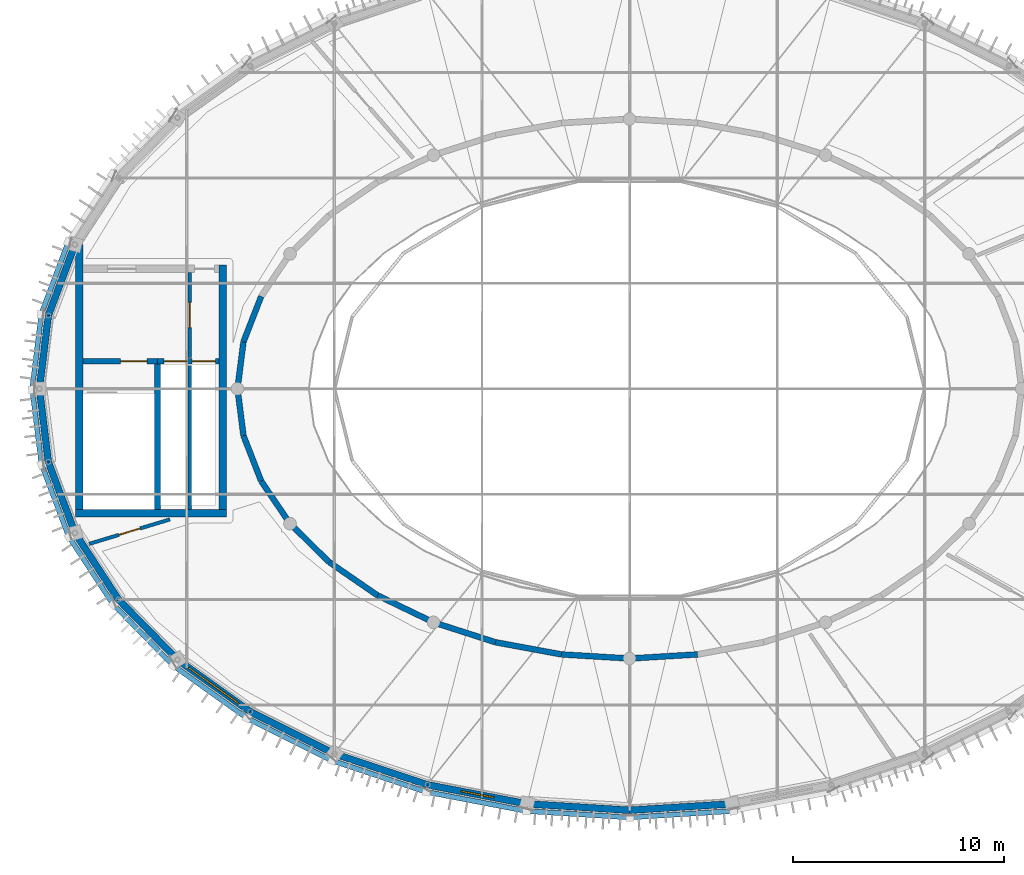
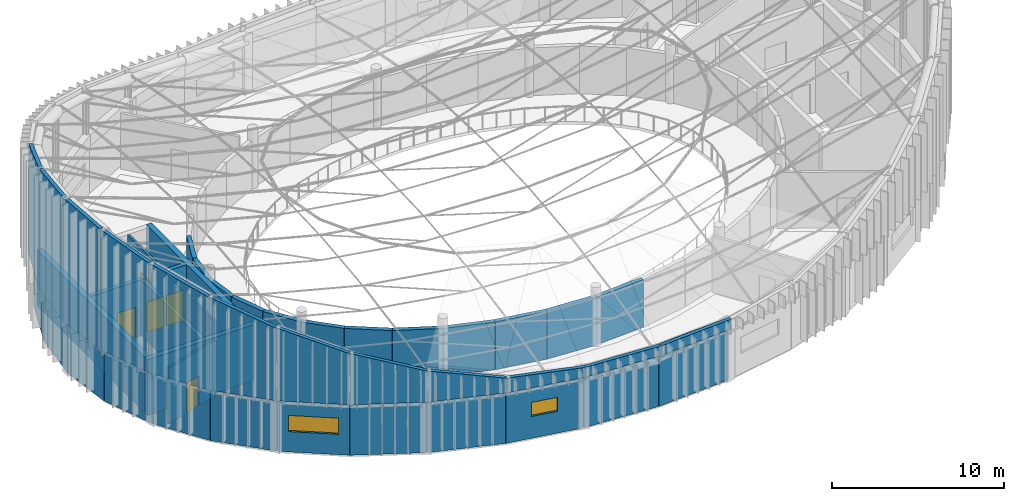
# One storey, part 25 of 36: 45 walls, 5 doors, 2 windows, 7 openings.
"""IFC4 building model written with IfcOpenShell, lengths in metres."""

from ifc_helpers import new_model, si_unit, direction, frame, frame_2d, origin, place, context, subcontext, project, spatial, polyline, rectangle, outline, extrude, material, layer, layer_set, type_object, element, fill, save


model = new_model("IFC4")

# Units and contexts
model_context = context("Model", 3, precision=1e-05, world=origin(), true_north=direction((0.0, 1.0)))
body_context = subcontext(model_context, "Body", "Model", "MODEL_VIEW")
ifc_project = project(units=[si_unit("LENGTHUNIT", "METRE"), si_unit("AREAUNIT", "SQUARE_METRE"), si_unit("VOLUMEUNIT", "CUBIC_METRE"), si_unit("PLANEANGLEUNIT", "RADIAN"), si_unit("MASSUNIT", "GRAM", prefix="KILO")], contexts=[model_context])

# Site, building, storey
site_placement = place(None, origin())
site = spatial("IfcSite", under=ifc_project, at=site_placement, CompositionType="ELEMENT")
building_placement = place(site_placement, origin())
building = spatial("IfcBuilding", under=site, at=building_placement, Name="Tarnveldt Headland Concert Hall", CompositionType="ELEMENT")
storey_placement = place(building_placement, frame((0.0, 0.0, 22.800048828125)))
storey = spatial("IfcBuildingStorey", under=building, at=storey_placement, Name="L05", CompositionType="ELEMENT", Elevation=22.800048828125)

# Walls
ifc_material_1 = material(Name="Concrete C40/50", Category="concrete")
ifc_layer_1 = layer(ifc_material_1, 0.324951171875, Name="Concrete C40/50", Category="concrete")
ifc_layer_set_1 = layer_set([ifc_layer_1], Name="Concrete C40/50")
wall_type_1 = type_object("IfcWallType", Name="WL-CR325", PredefinedType="SHEAR", material=ifc_layer_set_1)
wall_1_placement = place(storey_placement, frame((57.188720703125, 61.34033203125, 0.0), z_axis=(0.0, 0.0, 1.0), x_axis=(-0.351279653979, -0.936270583058, 0.0)))
element("IfcWall", 1, at=wall_1_placement, inside=storey, type_object=wall_type_1, Name="Symphony drum shear wall L05-17", PredefinedType="SHEAR", context=body_context, shape_type="SweptSolid", body=[
    extrude(rectangle(XDim=3.5966796875, YDim=0.324951171875, at=frame_2d((1.79833984375, 0.0))), origin(), (0.0, 0.0, 1.0), 4.199951171875),
])
for number, where, z_axis, x_axis, name in (
    (2, (55.92529296875, 57.972900390625, 0.0), (0.0, 0.0, 1.0), (-0.121552414401, -0.99258501427, 0.0), "Symphony drum shear wall L05-18"),
    (3, (55.5, 54.5, 0.0), (0.0, 0.0, 1.0), (0.121552414401, -0.99258501427, 0.0), "Symphony drum shear wall L05-19"),
):
    element("IfcWall", number, at=place(storey_placement, frame(where, z_axis=z_axis, x_axis=x_axis)), inside=storey, type_object=wall_type_1, Name=name, PredefinedType="SHEAR", context=body_context, shape_type="SweptSolid", body=[
        extrude(rectangle(XDim=3.498779296875, YDim=0.324951171875, at=frame_2d((1.74951171875, 0.0))), origin(), (0.0, 0.0, 1.0), 4.199951171875),
    ])
wall_2_placement = place(storey_placement, frame((55.92529296875, 51.027099609375, 0.0), z_axis=(0.0, 0.0, 1.0), x_axis=(0.351279653979, -0.936270583058, 0.0)))
element("IfcWall", 4, at=wall_2_placement, inside=storey, type_object=wall_type_1, Name="Symphony drum shear wall L05-20", PredefinedType="SHEAR", context=body_context, shape_type="SweptSolid", body=[
    extrude(rectangle(XDim=3.5966796875, YDim=0.324951171875, at=frame_2d((1.79833984375, 0.0))), origin(), (0.0, 0.0, 1.0), 4.199951171875),
])
wall_3_placement = place(storey_placement, frame((57.188720703125, 47.65966796875, 0.0), z_axis=(0.0, 0.0, 1.0), x_axis=(0.546611158382, -0.837386554425, 0.0)))
element("IfcWall", 5, at=wall_3_placement, inside=storey, type_object=wall_type_1, Name="Symphony drum shear wall L05-21", PredefinedType="SHEAR", context=body_context, shape_type="SweptSolid", body=[
    extrude(rectangle(XDim=3.773193359375, YDim=0.324951171875, at=frame_2d((1.88671875, 0.0))), origin(), (0.0, 0.0, 1.0), 4.199951171875),
])
wall_4_placement = place(storey_placement, frame((59.251220703125, 44.5, 0.0), z_axis=(0.0, 0.0, 1.0), x_axis=(0.700051268358, -0.714092586203, 0.0)))
element("IfcWall", 6, at=wall_4_placement, inside=storey, type_object=wall_type_1, Name="Symphony drum shear wall L05-22", PredefinedType="SHEAR", context=body_context, shape_type="SweptSolid", body=[
    extrude(rectangle(XDim=3.9990234375, YDim=0.324951171875, at=frame_2d((1.99951171875, 0.0))), origin(), (0.0, 0.0, 1.0), 4.199951171875),
])

# Wall, opening, window
wall_5_placement = place(storey_placement, frame((62.05078125, 41.644287109375, 0.0), z_axis=(0.0, 0.0, 1.0), x_axis=(0.813737360708, -0.581232748378, 0.0)))
wall_5 = element("IfcWall", 7, at=wall_5_placement, inside=storey, type_object=wall_type_1, Name="Symphony drum shear wall L05-23", PredefinedType="SHEAR", context=body_context, shape_type="SweptSolid", body=[
    extrude(rectangle(XDim=4.2412109375, YDim=0.324951171875, at=frame_2d((2.12060546875, 0.0))), origin(), (0.0, 0.0, 1.0), 4.199951171875),
])
opening_1_placement = place(wall_5_placement, frame((0.6455078125, 0.0, 1.449951171875)))
opening_1 = element("IfcOpeningElement", 8, at=opening_1_placement, cuts=wall_5, Name="Opening W-D020", PredefinedType="OPENING", context=body_context, shape_type="SweptSolid", body=[
    extrude(rectangle(XDim=2.949951171875, YDim=1.14990234375, at=frame_2d((1.47509765625, 0.574951171875))), frame((0.0, 0.17236328125, 0.0), z_axis=(0.0, -1.0, 0.0), x_axis=(1.0, 0.0, 0.0)), (0.0, 0.0, 1.0), 0.344970703125),
])
ifc_material_2 = material(Name="Acoustic laminated low-iron double glazing", Category="glass")
window_type_1 = type_object("IfcWindowType", Name="WN-23", PartitioningType="SINGLE_PANEL", PredefinedType="WINDOW", material=ifc_material_2)
window_1_placement = place(opening_1_placement, origin())
window_1 = element("IfcWindow", 9, at=window_1_placement, inside=storey, type_object=window_type_1, Name="Drum acoustic gallery window L05-23", OverallHeight=1.14990234375, OverallWidth=2.949951171875, PartitioningType="SINGLE_PANEL", PredefinedType="WINDOW", context=body_context, shape_type="SweptSolid", body=[
    extrude(rectangle(XDim=2.949951171875, YDim=1.14990234375, at=frame_2d((1.47509765625, 0.574951171875))), frame((0.0, 0.030029296875, 0.0), z_axis=(0.0, -1.0, 0.0), x_axis=(1.0, 0.0, 0.0)), (0.0, 0.0, 1.0), 0.06005859375),
])
fill(opening_1, window_1)

# Walls
wall_6_placement = place(storey_placement, frame((65.501953125, 39.17919921875, 0.0), z_axis=(0.0, 0.0, 1.0), x_axis=(0.894361644392, -0.447344664705, 0.0)))
element("IfcWall", 10, at=wall_6_placement, inside=storey, type_object=wall_type_1, Name="Symphony drum shear wall L05-24", PredefinedType="SHEAR", context=body_context, shape_type="SweptSolid", body=[
    extrude(rectangle(XDim=4.47021484375, YDim=0.324951171875, at=frame_2d((2.235107421875, 0.0))), origin(), (0.0, 0.0, 1.0), 4.199951171875),
])
wall_7_placement = place(storey_placement, frame((69.5, 37.179443359375, 0.0), z_axis=(0.0, 0.0, 1.0), x_axis=(0.948751350732, -0.316023534699, 0.0)))
element("IfcWall", 11, at=wall_7_placement, inside=storey, type_object=wall_type_1, Name="Symphony drum shear wall L05-25", PredefinedType="SHEAR", context=body_context, shape_type="SweptSolid", body=[
    extrude(rectangle(XDim=4.662353515625, YDim=0.324951171875, at=frame_2d((2.3310546875, 0.0))), origin(), (0.0, 0.0, 1.0), 4.199951171875),
])

# Wall, opening, window
wall_8_placement = place(storey_placement, frame((73.92333984375, 35.7060546875, 0.0), z_axis=(0.0, 0.0, 1.0), x_axis=(0.982172578083, -0.187981453503, 0.0)))
wall_8 = element("IfcWall", 12, at=wall_8_placement, inside=storey, type_object=wall_type_1, Name="Symphony drum shear wall L05-26", PredefinedType="SHEAR", context=body_context, shape_type="SweptSolid", body=[
    extrude(rectangle(XDim=4.80029296875, YDim=0.324951171875, at=frame_2d((2.400146484375, 0.0))), origin(), (0.0, 0.0, 1.0), 4.199951171875),
])
opening_2_placement = place(wall_8_placement, frame((1.60009765625, 0.0, 1.550048828125)))
opening_2 = element("IfcOpeningElement", 13, at=opening_2_placement, cuts=wall_8, Name="Opening W-D021", PredefinedType="OPENING", context=body_context, shape_type="SweptSolid", body=[
    extrude(rectangle(XDim=1.60009765625, YDim=1.0, at=frame_2d((0.800048828125, 0.5))), frame((0.0, 0.17236328125, 0.0), z_axis=(0.0, -1.0, 0.0), x_axis=(1.0, 0.0, 0.0)), (0.0, 0.0, 1.0), 0.344970703125),
])
window_type_2 = type_object("IfcWindowType", Name="WN-28", PartitioningType="SINGLE_PANEL", PredefinedType="WINDOW", material=ifc_material_2)
window_2_placement = place(opening_2_placement, origin())
window_2 = element("IfcWindow", 14, at=window_2_placement, inside=storey, type_object=window_type_2, Name="Drum acoustic gallery window L05-26", OverallHeight=1.0, OverallWidth=1.60009765625, PartitioningType="SINGLE_PANEL", PredefinedType="WINDOW", context=body_context, shape_type="SweptSolid", body=[
    extrude(rectangle(XDim=1.60009765625, YDim=1.0, at=frame_2d((0.800048828125, 0.5))), frame((0.0, 0.030029296875, 0.0), z_axis=(0.0, -1.0, 0.0), x_axis=(1.0, 0.0, 0.0)), (0.0, 0.0, 1.0), 0.06005859375),
])
fill(opening_2, window_2)

# Walls
for number, where, z_axis, x_axis, name in (
    (15, (78.637939453125, 34.8037109375, 0.0), (0.0, 0.0, 1.0), (0.998054722924, -0.06234396562, 0.0), "Symphony drum shear wall L05-27"),
    (16, (83.5, 34.5, 0.0), (0.0, 0.0, 1.0), (0.998054722924, 0.06234396562, 0.0), "Symphony drum shear wall L05-28"),
):
    element("IfcWall", number, at=place(storey_placement, frame(where, z_axis=z_axis, x_axis=x_axis)), inside=storey, type_object=wall_type_1, Name=name, PredefinedType="SHEAR", context=body_context, shape_type="SweptSolid", body=[
        extrude(rectangle(XDim=4.87158203125, YDim=0.324951171875, at=frame_2d((2.435791015625, 0.0))), origin(), (0.0, 0.0, 1.0), 4.199951171875),
    ])
ifc_layer_2 = layer(ifc_material_1, 0.35009765625, Name="Concrete C40/50", Category="concrete")
ifc_layer_set_2 = layer_set([ifc_layer_2], Name="Concrete C40/50")
wall_type_2 = type_object("IfcWallType", Name="WL-CR350", PredefinedType="SHEAR", material=ifc_layer_set_2)
wall_9_placement = place(storey_placement, frame((57.22509765625, 48.60009765625, 0.0), z_axis=(0.0, 0.0, 1.0), x_axis=(1.0, 0.0, 0.0)))
element("IfcWall", 17, at=wall_9_placement, inside=storey, type_object=wall_type_2, Name="Core C1 south shear wall L05", PredefinedType="SHEAR", context=body_context, shape_type="SweptSolid", body=[
    extrude(rectangle(XDim=7.14990234375, YDim=0.35009765625, at=frame_2d((3.574951171875, 0.0))), origin(), (0.0, 0.0, 1.0), 3.97998046875),
])
wall_10_placement = place(storey_placement, frame((57.39990234375, 48.77490234375, 0.0), z_axis=(0.0, 0.0, 1.0), x_axis=(0.0, 1.0, 0.0)))
element("IfcWall", 18, at=wall_10_placement, inside=storey, type_object=wall_type_2, Name="Core C1 west shear wall L05", PredefinedType="SHEAR", context=body_context, shape_type="SweptSolid", body=[
    extrude(rectangle(XDim=12.565185546875, YDim=0.35009765625, at=frame_2d((6.28271484375, 0.0))), origin(), (0.0, 0.0, 1.0), 3.97998046875),
])
wall_11_placement = place(storey_placement, frame((64.199951171875, 48.77490234375, 0.0), z_axis=(0.0, 0.0, 1.0), x_axis=(0.0, 1.0, 0.0)))
element("IfcWall", 19, at=wall_11_placement, inside=storey, type_object=wall_type_2, Name="Core C1 east shear wall L05", PredefinedType="SHEAR", context=body_context, shape_type="SweptSolid", body=[
    extrude(rectangle(XDim=11.60009765625, YDim=0.35009765625, at=frame_2d((5.800048828125, 0.0))), origin(), (0.0, 0.0, 1.0), 3.97998046875),
])
ifc_material_3 = material(Name="Coral-toned precast concrete C40/50", Category="concrete")
ifc_layer_3 = layer(ifc_material_3, 0.239990234375, Name="Coral-toned precast concrete C40/50", Category="concrete")
ifc_layer_set_3 = layer_set([ifc_layer_3], Name="Coral-toned precast concrete C40/50")
wall_type_3 = type_object("IfcWallType", Name="WL-EX240", PredefinedType="SOLIDWALL", material=ifc_layer_set_3)
wall_12_placement = place(storey_placement, frame((56.870361328125, 61.459716796875, 3.800048828125), z_axis=(0.0, 0.0, 1.0), x_axis=(-0.351220147955, -0.936292906985, 0.0)))
element("IfcWall", 20, at=wall_12_placement, inside=storey, type_object=wall_type_3, Name="Crown saddle acoustic tympanum panel 17", PredefinedType="SOLIDWALL", context=body_context, shape_type="SweptSolid", body=[
    extrude(outline(polyline([(0.0, 0.0), (3.5966796875, 0.0), (3.596435546875, 8.554443359375), (0.0, 7.79052734375), (0.0, 0.0)])), frame((0.0, 0.1201171875, 0.0), z_axis=(0.0, -1.0, 0.0), x_axis=(1.0, 0.0, 0.0)), (0.0, 0.0, 1.0), 0.239990234375),
])
wall_13_placement = place(storey_placement, frame((55.587890625, 58.014404296875, 3.800048828125), z_axis=(0.0, 0.0, 1.0), x_axis=(-0.121543996247, -0.992586045125, 0.0)))
element("IfcWall", 21, at=wall_13_placement, inside=storey, type_object=wall_type_3, Name="Crown saddle acoustic tympanum panel 18", PredefinedType="SOLIDWALL", context=body_context, shape_type="SweptSolid", body=[
    extrude(outline(polyline([(0.0, 0.0), (3.4990234375, 0.0), (3.4990234375, 8.81982421875), (0.0, 8.554443359375), (0.0, 0.0)])), frame((0.0, 0.1201171875, 0.0), z_axis=(0.0, -1.0, 0.0), x_axis=(1.0, 0.0, 0.0)), (0.0, 0.0, 1.0), 0.239990234375),
])
wall_14_placement = place(storey_placement, frame((55.16259765625, 54.458740234375, 3.800048828125), z_axis=(0.0, 0.0, 1.0), x_axis=(0.121543996247, -0.992586045125, 0.0)))
element("IfcWall", 22, at=wall_14_placement, inside=storey, type_object=wall_type_3, Name="Crown saddle acoustic tympanum panel 19", PredefinedType="SOLIDWALL", context=body_context, shape_type="SweptSolid", body=[
    extrude(outline(polyline([(0.0, 0.0), (3.4990234375, 0.0), (3.4990234375, 8.554443359375), (0.0, 8.81982421875), (0.0, 0.0)])), frame((0.0, 0.1201171875, 0.0), z_axis=(0.0, -1.0, 0.0), x_axis=(1.0, 0.0, 0.0)), (0.0, 0.0, 1.0), 0.239990234375),
])
wall_15_placement = place(storey_placement, frame((55.607177734375, 50.90771484375, 3.800048828125), z_axis=(0.0, 0.0, 1.0), x_axis=(0.351220147955, -0.936292906985, 0.0)))
element("IfcWall", 23, at=wall_15_placement, inside=storey, type_object=wall_type_3, Name="Crown saddle acoustic tympanum panel 20", PredefinedType="SOLIDWALL", context=body_context, shape_type="SweptSolid", body=[
    extrude(outline(polyline([(0.0, 0.0), (3.5966796875, 0.0), (3.596435546875, 7.79052734375), (0.0, 8.554443359375), (0.0, 0.0)])), frame((0.0, 0.1201171875, 0.0), z_axis=(0.0, -1.0, 0.0), x_axis=(1.0, 0.0, 0.0)), (0.0, 0.0, 1.0), 0.239990234375),
])
wall_16_placement = place(storey_placement, frame((56.90380859375, 47.4736328125, 3.800048828125), z_axis=(0.0, 0.0, 1.0), x_axis=(0.546686144595, -0.837337601752, 0.0)))
element("IfcWall", 24, at=wall_16_placement, inside=storey, type_object=wall_type_3, Name="Crown saddle acoustic tympanum panel 21", PredefinedType="SOLIDWALL", context=body_context, shape_type="SweptSolid", body=[
    extrude(outline(polyline([(0.0, 0.0), (3.773193359375, 0.0), (3.773193359375, 6.619873046875), (0.0, 7.79052734375), (0.0, 0.0)])), frame((0.0, 0.1201171875, 0.0), z_axis=(0.0, -1.0, 0.0), x_axis=(1.0, 0.0, 0.0)), (0.0, 0.0, 1.0), 0.239990234375),
])
wall_17_placement = place(storey_placement, frame((59.008544921875, 44.261962890625, 3.800048828125), z_axis=(0.0, 0.0, 1.0), x_axis=(0.700051268358, -0.714092586203, 0.0)))
element("IfcWall", 25, at=wall_17_placement, inside=storey, type_object=wall_type_3, Name="Crown saddle acoustic tympanum panel 22", PredefinedType="SOLIDWALL", context=body_context, shape_type="SweptSolid", body=[
    extrude(outline(polyline([(0.0, 0.0), (3.9990234375, 0.0), (3.9990234375, 5.183837890625), (0.0, 6.619873046875), (0.0, 0.0)])), frame((0.0, 0.1201171875, 0.0), z_axis=(0.0, -1.0, 0.0), x_axis=(1.0, 0.0, 0.0)), (0.0, 0.0, 1.0), 0.239990234375),
])
wall_18_placement = place(storey_placement, frame((61.853271484375, 41.367431640625, 3.800048828125), z_axis=(0.0, 0.0, 1.0), x_axis=(0.813717912107, -0.581259975843, 0.0)))
element("IfcWall", 26, at=wall_18_placement, inside=storey, type_object=wall_type_3, Name="Crown saddle acoustic tympanum panel 23", PredefinedType="SOLIDWALL", context=body_context, shape_type="SweptSolid", body=[
    extrude(outline(polyline([(0.0, 0.0), (4.240966796875, 0.0), (4.2412109375, 3.656005859375), (0.0, 5.183837890625), (0.0, 0.0)])), frame((0.0, 0.1201171875, 0.0), z_axis=(0.0, -1.0, 0.0), x_axis=(1.0, 0.0, 0.0)), (0.0, 0.0, 1.0), 0.239990234375),
])
wall_19_placement = place(storey_placement, frame((65.349853515625, 38.875, 3.800048828125), z_axis=(0.0, 0.0, 1.0), x_axis=(0.894383494328, -0.447300978172, 0.0)))
element("IfcWall", 27, at=wall_19_placement, inside=storey, type_object=wall_type_3, Name="Crown saddle acoustic tympanum panel 24", PredefinedType="SOLIDWALL", context=body_context, shape_type="SweptSolid", body=[
    extrude(outline(polyline([(0.0, 0.0), (4.47021484375, 0.0), (4.47021484375, 2.219970703125), (0.0, 3.656005859375), (0.0, 0.0)])), frame((0.0, 0.1201171875, 0.0), z_axis=(0.0, -1.0, 0.0), x_axis=(1.0, 0.0, 0.0)), (0.0, 0.0, 1.0), 0.239990234375),
])
wall_20_placement = place(storey_placement, frame((69.392578125, 36.85693359375, 3.800048828125), z_axis=(0.0, 0.0, 1.0), x_axis=(0.948751350732, -0.316023534699, 0.0)))
element("IfcWall", 28, at=wall_20_placement, inside=storey, type_object=wall_type_3, Name="Crown saddle acoustic tympanum panel 25", PredefinedType="SOLIDWALL", context=body_context, shape_type="SweptSolid", body=[
    extrude(outline(polyline([(0.0, 0.0), (4.662353515625, 0.0), (4.662353515625, 1.04931640625), (0.0, 2.219970703125), (0.0, 0.0)])), frame((0.0, 0.1201171875, 0.0), z_axis=(0.0, -1.0, 0.0), x_axis=(1.0, 0.0, 0.0)), (0.0, 0.0, 1.0), 0.239990234375),
])
wall_21_placement = place(storey_placement, frame((73.859619140625, 35.372314453125, 3.800048828125), z_axis=(0.0, 0.0, 1.0), x_axis=(0.98217078068, -0.187990844401, 0.0)))
element("IfcWall", 29, at=wall_21_placement, inside=storey, type_object=wall_type_3, Name="Crown saddle acoustic tympanum panel 26", PredefinedType="SOLIDWALL", context=body_context, shape_type="SweptSolid", body=[
    extrude(outline(polyline([(0.0, 0.0), (4.800048828125, 0.0), (4.800048828125, 0.699951171875), (0.0, 1.04931640625), (0.0, 0.0)])), frame((0.0, 0.1201171875, 0.0), z_axis=(0.0, -1.0, 0.0), x_axis=(1.0, 0.0, 0.0)), (0.0, 0.0, 1.0), 0.239990234375),
])
for number, where, z_axis, x_axis, name in (
    (30, (78.61669921875, 34.464599609375, 3.800048828125), (0.0, 0.0, 1.0), (0.99805160335, -0.062393886325, 0.0), "Crown saddle acoustic tympanum panel 27"),
    (31, (83.521240234375, 34.16064453125, 3.800048828125), (0.0, 0.0, 1.0), (0.99805160335, 0.062393886325, 0.0), "Crown saddle acoustic tympanum panel 28"),
):
    element("IfcWall", number, at=place(storey_placement, frame(where, z_axis=z_axis, x_axis=x_axis)), inside=storey, type_object=wall_type_3, Name=name, PredefinedType="SOLIDWALL", context=body_context, shape_type="SweptSolid", body=[
        extrude(outline(polyline([(0.0, 0.0), (4.87158203125, 0.0), (4.87158203125, 0.699951171875), (0.0, 0.699951171875), (0.0, 0.0)])), frame((0.0, 0.1201171875, 0.0), z_axis=(0.0, -1.0, 0.0), x_axis=(1.0, 0.0, 0.0)), (0.0, 0.0, 1.0), 0.239990234375),
    ])
ifc_material_4 = material(Name="Acoustic multi-layer gypsum and mineral-wool partition", Category="gypsum")
ifc_layer_4 = layer(ifc_material_4, 0.14990234375, Name="Acoustic multi-layer gypsum and mineral-wool partition", Category="gypsum")
ifc_layer_set_4 = layer_set([ifc_layer_4], Name="Acoustic multi-layer gypsum and mineral-wool partition")
wall_type_4 = type_object("IfcWallType", Name="WL-PT150", PredefinedType="PARTITIONING", material=ifc_layer_set_4)
wall_22_placement = place(storey_placement, frame((62.632568359375, 48.77490234375, 0.0), z_axis=(0.0, 0.0, 1.0), x_axis=(0.0, 1.0, 0.0)))
element("IfcWall", 32, at=wall_22_placement, inside=storey, type_object=wall_type_4, Name="Core C1 twin lift divider L05", PredefinedType="PARTITIONING", context=body_context, shape_type="SweptSolid", body=[
    extrude(rectangle(XDim=6.8251953125, YDim=0.14990234375, at=frame_2d((3.41259765625, 0.0))), origin(), (0.0, 0.0, 1.0), 3.973876953125),
])

# Wall, opening, door
ifc_layer_5 = layer(ifc_material_4, 0.1650390625, Name="Acoustic multi-layer gypsum and mineral-wool partition", Category="gypsum")
ifc_layer_set_5 = layer_set([ifc_layer_5], Name="Acoustic multi-layer gypsum and mineral-wool partition")
wall_type_5 = type_object("IfcWallType", Name="WL-PT165", PredefinedType="PARTITIONING", material=ifc_layer_set_5)
wall_23_placement = place(storey_placement, frame((62.632568359375, 55.97998046875, 0.0), z_axis=(0.0, 0.0, 1.0), x_axis=(0.0, 1.0, 0.0)))
wall_23 = element("IfcWall", 33, at=wall_23_placement, inside=storey, type_object=wall_type_5, Name="Core C1 firefighting lobby wall L05", PredefinedType="PARTITIONING", context=body_context, shape_type="SweptSolid", body=[
    extrude(rectangle(XDim=4.0400390625, YDim=0.1650390625, at=frame_2d((2.02001953125, 0.0))), origin(), (0.0, 0.0, 1.0), 3.973876953125),
])
opening_3_placement = place(wall_23_placement, frame((1.419921875, 0.0, 0.0)))
opening_3 = element("IfcOpeningElement", 34, at=opening_3_placement, cuts=wall_23, Name="Opening FFD-C1I-L05", PredefinedType="OPENING", context=body_context, shape_type="SweptSolid", body=[
    extrude(rectangle(XDim=1.199951171875, YDim=2.14990234375, at=frame_2d((0.60009765625, 1.074951171875))), frame((0.0, 0.092529296875, 0.0), z_axis=(0.0, -1.0, 0.0), x_axis=(1.0, 0.0, 0.0)), (0.0, 0.0, 1.0), 0.18505859375),
])
ifc_material_5 = material(Name="Galvanised painted steel sheet", Category="steel")
door_type_1 = type_object("IfcDoorType", Name="DR-ST120", OperationType="NOTDEFINED", PredefinedType="DOOR", material=ifc_material_5)
door_1_placement = place(opening_3_placement, origin())
door_1 = element("IfcDoor", 35, at=door_1_placement, inside=storey, type_object=door_type_1, Name="Core C1 lobby interconnecting fire door L05", OperationType="SINGLE_SWING_LEFT", OverallHeight=2.14990234375, OverallWidth=1.199951171875, PredefinedType="DOOR", context=body_context, shape_type="SweptSolid", body=[
    extrude(rectangle(XDim=1.199951171875, YDim=2.14990234375, at=frame_2d((0.60009765625, 1.074951171875))), frame((0.0, 0.02490234375, 0.0), z_axis=(0.0, -1.0, 0.0), x_axis=(1.0, 0.0, 0.0)), (0.0, 0.0, 1.0), 0.050048828125),
])
fill(opening_3, door_1)

wall_24_placement = place(storey_placement, frame((61.69482421875, 48.300048828125, 0.0), z_axis=(0.0, 0.0, 1.0), x_axis=(-0.957020301393, -0.29002093497, 0.0)))
wall_24 = element("IfcWall", 36, at=wall_24_placement, inside=storey, type_object=wall_type_5, Name="Interior acoustic partition L05-248", PredefinedType="PARTITIONING", context=body_context, shape_type="SweptSolid", body=[
    extrude(rectangle(XDim=4.003662109375, YDim=0.1650390625, at=frame_2d((2.001953125, 0.0))), origin(), (0.0, 0.0, 1.0), 3.973876953125),
])
opening_4_placement = place(wall_24_placement, frame((1.476806640625, 0.0, 0.0)))
opening_4 = element("IfcOpeningElement", 37, at=opening_4_placement, cuts=wall_24, Name="Opening D-L05-244", PredefinedType="OPENING", context=body_context, shape_type="SweptSolid", body=[
    extrude(rectangle(XDim=1.050048828125, YDim=2.14990234375, at=frame_2d((0.52490234375, 1.074951171875))), frame((0.0, 0.092529296875, 0.0), z_axis=(0.0, -1.0, 0.0), x_axis=(1.0, 0.0, 0.0)), (0.0, 0.0, 1.0), 0.18505859375),
])
ifc_material_6 = material(Name="Treated East African mvule hardwood", Category="wood")
door_type_2 = type_object("IfcDoorType", Name="DR-RM105", OperationType="NOTDEFINED", PredefinedType="DOOR", material=ifc_material_6)
door_2_placement = place(opening_4_placement, origin())
door_2 = element("IfcDoor", 38, at=door_2_placement, inside=storey, type_object=door_type_2, Name="Interior room door L05-244", OperationType="SINGLE_SWING_RIGHT", OverallHeight=2.14990234375, OverallWidth=1.050048828125, PredefinedType="DOOR", context=body_context, shape_type="SweptSolid", body=[
    extrude(rectangle(XDim=1.050048828125, YDim=2.14990234375, at=frame_2d((0.52490234375, 1.074951171875))), frame((0.0, 0.02490234375, 0.0), z_axis=(0.0, -1.0, 0.0), x_axis=(1.0, 0.0, 0.0)), (0.0, 0.0, 1.0), 0.050048828125),
])
fill(opening_4, door_2)

# Walls
ifc_layer_6 = layer(ifc_material_1, 0.27490234375, Name="Concrete C40/50", Category="concrete")
ifc_layer_set_6 = layer_set([ifc_layer_6], Name="Concrete C40/50")
wall_type_6 = type_object("IfcWallType", Name="WL-SH275", PredefinedType="SHEAR", material=ifc_layer_set_6)
wall_25_placement = place(storey_placement, frame((66.021728515625, 58.8779296875, 0.0), z_axis=(0.0, 0.0, 1.0), x_axis=(-0.362802811216, -0.931865934657, 0.0)))
element("IfcWall", 39, at=wall_25_placement, inside=storey, type_object=wall_type_6, Name="Acoustic inner box wall L05-17", PredefinedType="SHEAR", context=body_context, shape_type="SweptSolid", body=[
    extrude(rectangle(XDim=2.312744140625, YDim=0.27490234375, at=frame_2d((1.15625, 0.0))), origin(), (0.0, 0.0, 1.0), 3.39990234375),
])
for number, where, z_axis, x_axis, name in (
    (40, (65.1826171875, 56.72265625, 0.0), (0.0, 0.0, 1.0), (-0.126180195213, -0.992007337844, 0.0), "Acoustic inner box wall L05-18"),
    (41, (64.89990234375, 54.5, 0.0), (0.0, 0.0, 1.0), (0.126180195213, -0.992007337844, 0.0), "Acoustic inner box wall L05-19"),
):
    element("IfcWall", number, at=place(storey_placement, frame(where, z_axis=z_axis, x_axis=x_axis)), inside=storey, type_object=wall_type_6, Name=name, PredefinedType="SHEAR", context=body_context, shape_type="SweptSolid", body=[
        extrude(rectangle(XDim=2.240478515625, YDim=0.27490234375, at=frame_2d((1.1201171875, 0.0))), origin(), (0.0, 0.0, 1.0), 3.39990234375),
    ])
wall_26_placement = place(storey_placement, frame((65.1826171875, 52.27734375, 0.0), z_axis=(0.0, 0.0, 1.0), x_axis=(0.362802811216, -0.931865934657, 0.0)))
element("IfcWall", 42, at=wall_26_placement, inside=storey, type_object=wall_type_6, Name="Acoustic inner box wall L05-20", PredefinedType="SHEAR", context=body_context, shape_type="SweptSolid", body=[
    extrude(rectangle(XDim=2.312744140625, YDim=0.27490234375, at=frame_2d((1.15625, 0.0))), origin(), (0.0, 0.0, 1.0), 3.39990234375),
])
wall_27_placement = place(storey_placement, frame((66.021728515625, 50.1220703125, 0.0), z_axis=(0.0, 0.0, 1.0), x_axis=(0.560958648975, -0.827843822312, 0.0)))
element("IfcWall", 43, at=wall_27_placement, inside=storey, type_object=wall_type_6, Name="Acoustic inner box wall L05-21", PredefinedType="SHEAR", context=body_context, shape_type="SweptSolid", body=[
    extrude(rectangle(XDim=2.4423828125, YDim=0.27490234375, at=frame_2d((1.22119140625, 0.0))), origin(), (0.0, 0.0, 1.0), 3.39990234375),
])
wall_28_placement = place(storey_placement, frame((67.391845703125, 48.10009765625, 0.0), z_axis=(0.0, 0.0, 1.0), x_axis=(0.713212431679, -0.700947949065, 0.0)))
element("IfcWall", 44, at=wall_28_placement, inside=storey, type_object=wall_type_6, Name="Acoustic inner box wall L05-22", PredefinedType="SHEAR", context=body_context, shape_type="SweptSolid", body=[
    extrude(rectangle(XDim=2.607666015625, YDim=0.27490234375, at=frame_2d((1.3037109375, 0.0))), origin(), (0.0, 0.0, 1.0), 3.39990234375),
])
wall_29_placement = place(storey_placement, frame((69.251708984375, 46.272216796875, 0.0), z_axis=(0.0, 0.0, 1.0), x_axis=(0.823780742291, -0.566908536388, 0.0)))
element("IfcWall", 45, at=wall_29_placement, inside=storey, type_object=wall_type_6, Name="Acoustic inner box wall L05-23", PredefinedType="SHEAR", context=body_context, shape_type="SweptSolid", body=[
    extrude(rectangle(XDim=2.782958984375, YDim=0.27490234375, at=frame_2d((1.3916015625, 0.0))), origin(), (0.0, 0.0, 1.0), 3.39990234375),
])
wall_30_placement = place(storey_placement, frame((71.544189453125, 44.694580078125, 0.0), z_axis=(0.0, 0.0, 1.0), x_axis=(0.900857755122, -0.434114391648, 0.0)))
element("IfcWall", 46, at=wall_30_placement, inside=storey, type_object=wall_type_6, Name="Acoustic inner box wall L05-24", PredefinedType="SHEAR", context=body_context, shape_type="SweptSolid", body=[
    extrude(rectangle(XDim=2.947998046875, YDim=0.27490234375, at=frame_2d((1.47412109375, 0.0))), origin(), (0.0, 0.0, 1.0), 3.39990234375),
])
wall_31_placement = place(storey_placement, frame((74.199951171875, 43.414794921875, 0.0), z_axis=(0.0, 0.0, 1.0), x_axis=(0.952183186678, -0.305527705795, 0.0)))
element("IfcWall", 47, at=wall_31_placement, inside=storey, type_object=wall_type_6, Name="Acoustic inner box wall L05-25", PredefinedType="SHEAR", context=body_context, shape_type="SweptSolid", body=[
    extrude(rectangle(XDim=3.0859375, YDim=0.27490234375, at=frame_2d((1.54296875, 0.0))), origin(), (0.0, 0.0, 1.0), 3.39990234375),
])
wall_32_placement = place(storey_placement, frame((77.138427734375, 42.471923828125, 0.0), z_axis=(0.0, 0.0, 1.0), x_axis=(0.9834240594, -0.18132048807, 0.0)))
element("IfcWall", 48, at=wall_32_placement, inside=storey, type_object=wall_type_6, Name="Acoustic inner box wall L05-26", PredefinedType="SHEAR", context=body_context, shape_type="SweptSolid", body=[
    extrude(rectangle(XDim=3.184326171875, YDim=0.27490234375, at=frame_2d((1.59228515625, 0.0))), origin(), (0.0, 0.0, 1.0), 3.39990234375),
])
for number, where, z_axis, x_axis, name in (
    (49, (80.27001953125, 41.89453125, 0.0), (0.0, 0.0, 1.0), (0.99819038223, -0.060132859761, 0.0), "Acoustic inner box wall L05-27"),
    (50, (83.5, 41.699951171875, 0.0), (0.0, 0.0, 1.0), (0.99819038223, 0.060132859761, 0.0), "Acoustic inner box wall L05-28"),
):
    element("IfcWall", number, at=place(storey_placement, frame(where, z_axis=z_axis, x_axis=x_axis)), inside=storey, type_object=wall_type_6, Name=name, PredefinedType="SHEAR", context=body_context, shape_type="SweptSolid", body=[
        extrude(rectangle(XDim=3.23583984375, YDim=0.27490234375, at=frame_2d((1.617919921875, 0.0))), origin(), (0.0, 0.0, 1.0), 3.39990234375),
    ])
wall_33_placement = place(storey_placement, frame((61.10009765625, 48.77490234375, 0.0), z_axis=(0.0, 0.0, 1.0), x_axis=(0.0, 1.0, 0.0)))
element("IfcWall", 51, at=wall_33_placement, inside=storey, type_object=wall_type_6, Name="Core C1 shaft divider wall L05", PredefinedType="SHEAR", context=body_context, shape_type="SweptSolid", body=[
    extrude(rectangle(XDim=6.8876953125, YDim=0.27490234375, at=frame_2d((3.44384765625, 0.0))), origin(), (0.0, 0.0, 1.0), 3.97998046875),
])

# Wall, opening, door
wall_34_placement = place(storey_placement, frame((57.574951171875, 55.800048828125, 0.0), z_axis=(0.0, 0.0, 1.0), x_axis=(1.0, 0.0, 0.0)))
wall_34 = element("IfcWall", 52, at=wall_34_placement, inside=storey, type_object=wall_type_6, Name="Core C1 stair enclosure wall L05", PredefinedType="SHEAR", context=body_context, shape_type="SweptSolid", body=[
    extrude(rectangle(XDim=3.525146484375, YDim=0.27490234375, at=frame_2d((1.7626953125, 0.0))), origin(), (0.0, 0.0, 1.0), 3.97998046875),
])
opening_5_placement = place(wall_34_placement, frame((1.784912109375, 0.0, 0.0)))
opening_5 = element("IfcOpeningElement", 53, at=opening_5_placement, cuts=wall_34, Name="Opening SD-C1-L05", PredefinedType="OPENING", context=body_context, shape_type="SweptSolid", body=[
    extrude(rectangle(XDim=1.25, YDim=2.14990234375, at=frame_2d((0.625, 1.074951171875))), frame((0.0, 0.1474609375, 0.0), z_axis=(0.0, -1.0, 0.0), x_axis=(1.0, 0.0, 0.0)), (0.0, 0.0, 1.0), 0.294921875),
])
door_type_3 = type_object("IfcDoorType", Name="DR-ST125", OperationType="NOTDEFINED", PredefinedType="DOOR", material=ifc_material_5)
door_3_placement = place(opening_5_placement, origin())
door_3 = element("IfcDoor", 54, at=door_3_placement, inside=storey, type_object=door_type_3, Name="Core C1 stair fire door L05", OperationType="SINGLE_SWING_RIGHT", OverallHeight=2.14990234375, OverallWidth=1.25, PredefinedType="DOOR", context=body_context, shape_type="SweptSolid", body=[
    extrude(rectangle(XDim=1.25, YDim=2.14990234375, at=frame_2d((0.625, 1.074951171875))), frame((0.0, 0.02490234375, 0.0), z_axis=(0.0, -1.0, 0.0), x_axis=(1.0, 0.0, 0.0)), (0.0, 0.0, 1.0), 0.050048828125),
])
fill(opening_5, door_3)

# Wall, openings, doors
wall_35_placement = place(storey_placement, frame((61.10009765625, 55.800048828125, 0.0), z_axis=(0.0, 0.0, 1.0), x_axis=(1.0, 0.0, 0.0)))
wall_35 = element("IfcWall", 55, at=wall_35_placement, inside=storey, type_object=wall_type_6, Name="Core C1 lift shaft front wall L05", PredefinedType="SHEAR", context=body_context, shape_type="SweptSolid", body=[
    extrude(rectangle(XDim=2.9248046875, YDim=0.27490234375, at=frame_2d((1.46240234375, 0.0))), origin(), (0.0, 0.0, 1.0), 3.97998046875),
])
opening_6_placement = place(wall_35_placement, frame((0.320068359375, 0.0, 0.0)))
opening_6 = element("IfcOpeningElement", 56, at=opening_6_placement, cuts=wall_35, Name="Opening LD-FFL-01-L05", PredefinedType="OPENING", context=body_context, shape_type="SweptSolid", body=[
    extrude(rectangle(XDim=1.10009765625, YDim=2.14990234375, at=frame_2d((0.550048828125, 1.074951171875))), frame((0.0, 0.1474609375, 0.0), z_axis=(0.0, -1.0, 0.0), x_axis=(1.0, 0.0, 0.0)), (0.0, 0.0, 1.0), 0.294921875),
])
opening_7_placement = place(wall_35_placement, frame((1.64501953125, 0.0, 0.0)))
opening_7 = element("IfcOpeningElement", 57, at=opening_7_placement, cuts=wall_35, Name="Opening LD-LP-01-L05", PredefinedType="OPENING", context=body_context, shape_type="SweptSolid", body=[
    extrude(rectangle(XDim=1.10009765625, YDim=2.14990234375, at=frame_2d((0.550048828125, 1.074951171875))), frame((0.0, 0.1474609375, 0.0), z_axis=(0.0, -1.0, 0.0), x_axis=(1.0, 0.0, 0.0)), (0.0, 0.0, 1.0), 0.294921875),
])
door_type_4 = type_object("IfcDoorType", Name="LD-110", OperationType="NOTDEFINED", PredefinedType="DOOR", material=ifc_material_5)
door_4_placement = place(opening_6_placement, origin())
door_4 = element("IfcDoor", 58, at=door_4_placement, inside=storey, type_object=door_type_4, Name="Lift FFL-01 sliding landing door L05", OperationType="DOUBLE_DOOR_SLIDING", OverallHeight=2.14990234375, OverallWidth=1.10009765625, PredefinedType="DOOR", context=body_context, shape_type="SweptSolid", body=[
    extrude(rectangle(XDim=1.10009765625, YDim=2.14990234375, at=frame_2d((0.550048828125, 1.074951171875))), frame((0.0, 0.02490234375, 0.0), z_axis=(0.0, -1.0, 0.0), x_axis=(1.0, 0.0, 0.0)), (0.0, 0.0, 1.0), 0.050048828125),
])
fill(opening_6, door_4)
door_5_placement = place(opening_7_placement, origin())
door_5 = element("IfcDoor", 59, at=door_5_placement, inside=storey, type_object=door_type_4, Name="Lift LP-01 sliding landing door L05", OperationType="DOUBLE_DOOR_SLIDING", OverallHeight=2.14990234375, OverallWidth=1.10009765625, PredefinedType="DOOR", context=body_context, shape_type="SweptSolid", body=[
    extrude(rectangle(XDim=1.10009765625, YDim=2.14990234375, at=frame_2d((0.550048828125, 1.074951171875))), frame((0.0, 0.02490234375, 0.0), z_axis=(0.0, -1.0, 0.0), x_axis=(1.0, 0.0, 0.0)), (0.0, 0.0, 1.0), 0.050048828125),
])
fill(opening_7, door_5)

save(model, "model.ifc")
